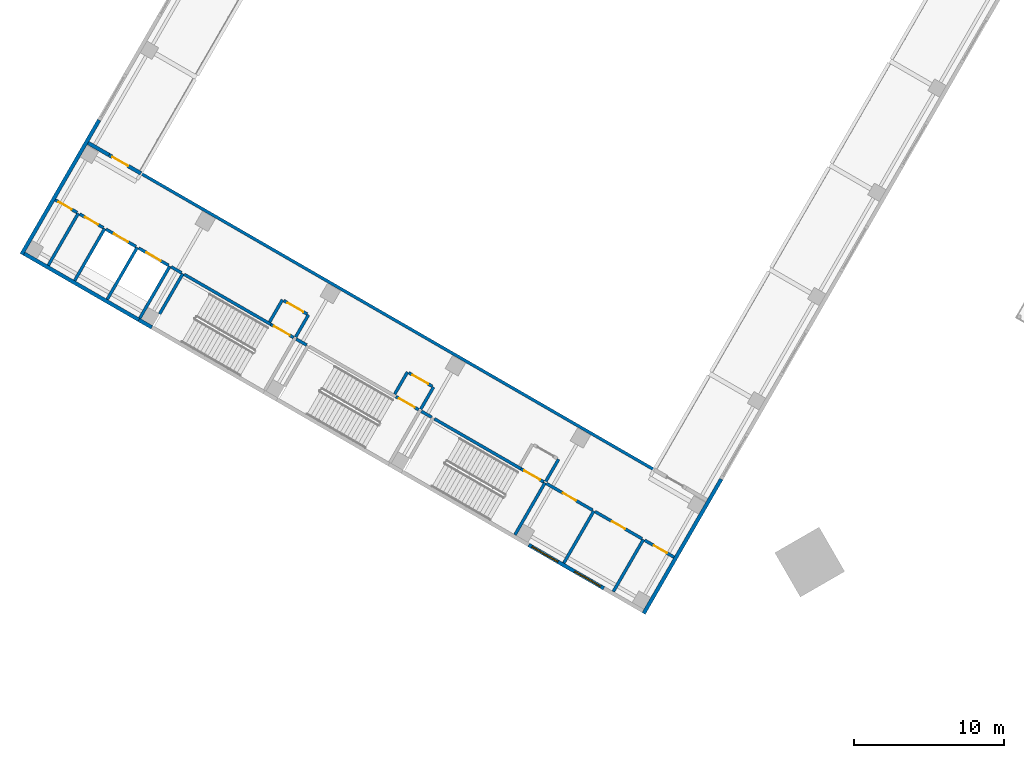
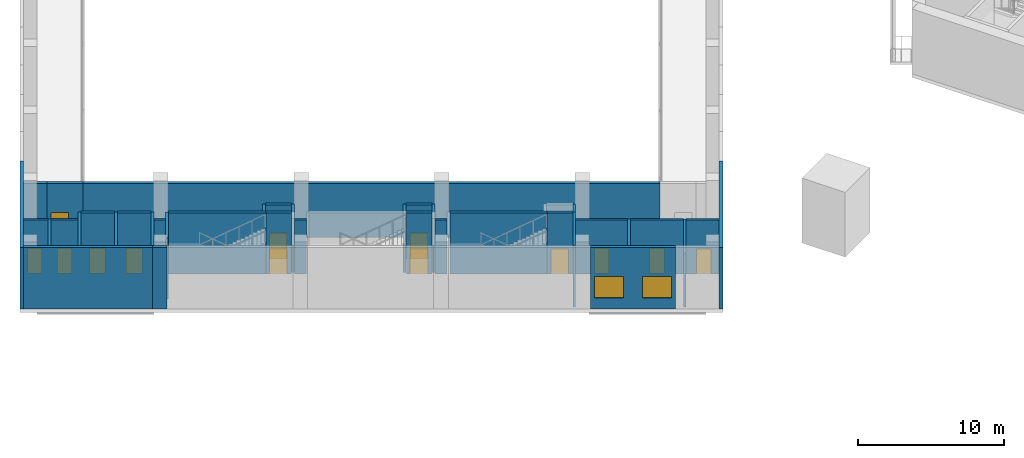
# One storey, part 9 of 35: 38 walls, 13 doors, 2 windows, 15 openings.
"""IFC4 building model written with IfcOpenShell, lengths in metres."""

from ifc_helpers import new_model, si_unit, direction, frame, frame_2d, origin, place, context, subcontext, project, spatial, rectangle, extrude, material, layer, layer_set, type_object, element, fill, save


model = new_model("IFC4")

# Units and contexts
model_context = context("Model", 3, precision=1e-05, world=origin(), true_north=direction((0.0, 1.0)))
body_context = subcontext(model_context, "Body", "Model", "MODEL_VIEW")
ifc_project = project(units=[si_unit("LENGTHUNIT", "METRE"), si_unit("AREAUNIT", "SQUARE_METRE"), si_unit("VOLUMEUNIT", "CUBIC_METRE"), si_unit("PLANEANGLEUNIT", "RADIAN"), si_unit("MASSUNIT", "GRAM", prefix="KILO")], contexts=[model_context])

# Site, building, storey
site_placement = place(None, origin())
site = spatial("IfcSite", under=ifc_project, at=site_placement, CompositionType="ELEMENT")
building_placement = place(site_placement, origin())
building = spatial("IfcBuilding", under=site, at=building_placement, Name="Mestral Congress Tower", CompositionType="ELEMENT")
storey_placement = place(building_placement, frame((0.0, 0.0, 6.0)))
storey = spatial("IfcBuildingStorey", under=building, at=storey_placement, Name="L01", CompositionType="ELEMENT", Elevation=6.0)

# Walls
ifc_material_1 = material(Name="Precast concrete C40/50 with limestone facing", Category="masonry")
ifc_layer_1 = layer(ifc_material_1, 0.25)
ifc_layer_set_1 = layer_set([ifc_layer_1], Name="Precast concrete C40/50 with limestone facing")
wall_type_1 = type_object("IfcWallType", Name="Podium external wall 250", PredefinedType="SOLIDWALL", material=ifc_layer_set_1)
for number, where, z_axis, x_axis, name in (
    (1, (-37.406494140625, -12.68408203125, 0.0), (0.0, 0.0, 1.0), (-0.500001855621, -0.866024332438, 0.0), "L01 external wall"),
    (2, (-83.915283203125, 2.260498046875, 0.0), (0.0, 0.0, 1.0), (0.500001855621, 0.866024332438, 0.0), "L01 external wall"),
):
    element("IfcWall", number, at=place(storey_placement, frame(where, z_axis=z_axis, x_axis=x_axis)), inside=storey, type_object=wall_type_1, Name=name, PredefinedType="SOLIDWALL", context=body_context, shape_type="SweptSolid", body=[
        extrude(rectangle(XDim=10.31201171875, YDim=0.25, at=frame_2d((5.156005859375, 0.0))), origin(), (0.0, 0.0, 1.0), 5.10009765625),
    ])

# Wall, openings, windows
wall_1_placement = place(storey_placement, frame((-45.206298828125, -19.94384765625, 0.0), z_axis=(0.0, 0.0, 1.0), x_axis=(-0.866036343161, 0.499981051965, 0.0)))
wall_1 = element("IfcWall", 3, at=wall_1_placement, inside=storey, type_object=wall_type_1, Name="L01 external wall", PredefinedType="SOLIDWALL", context=body_context, shape_type="SweptSolid", body=[
    extrude(rectangle(XDim=5.775146484375, YDim=0.25, at=frame_2d((2.8876953125, 0.0))), origin(), (0.0, 0.0, 1.0), 5.10009765625),
])
opening_1_placement = place(wall_1_placement, frame((0.25, 0.0, 0.89990234375)))
opening_1 = element("IfcOpeningElement", 4, at=opening_1_placement, cuts=wall_1, Name="Opening PW-2000x1800", PredefinedType="OPENING", context=body_context, shape_type="SweptSolid", body=[
    extrude(rectangle(XDim=2.0, YDim=1.800048828125, at=frame_2d((1.0, 0.89990234375))), frame((0.0, 0.135009765625, 0.0), z_axis=(0.0, -1.0, 0.0), x_axis=(1.0, 0.0, 0.0)), (0.0, 0.0, 1.0), 0.27001953125),
])
opening_2_placement = place(wall_1_placement, frame((3.52490234375, 0.0, 0.89990234375)))
opening_2 = element("IfcOpeningElement", 5, at=opening_2_placement, cuts=wall_1, Name="Opening PW-2000x1800", PredefinedType="OPENING", context=body_context, shape_type="SweptSolid", body=[
    extrude(rectangle(XDim=2.0, YDim=1.800048828125, at=frame_2d((1.0, 0.89990234375))), frame((0.0, 0.135009765625, 0.0), z_axis=(0.0, -1.0, 0.0), x_axis=(1.0, 0.0, 0.0)), (0.0, 0.0, 1.0), 0.27001953125),
])
ifc_material_2 = material(Name="Aluminium frame, clear double glazing", Category="aluminium")
window_type = type_object("IfcWindowType", Name="Podium window 2000x1800 sill 900", PartitioningType="SINGLE_PANEL", PredefinedType="WINDOW", material=ifc_material_2)
window_1_placement = place(opening_1_placement, origin())
window_1 = element("IfcWindow", 6, at=window_1_placement, inside=storey, type_object=window_type, Name="Window", OverallHeight=1.800048828125, OverallWidth=2.0, PartitioningType="SINGLE_PANEL", PredefinedType="WINDOW", context=body_context, shape_type="SweptSolid", body=[
    extrude(rectangle(XDim=2.0, YDim=1.800048828125, at=frame_2d((1.0, 0.89990234375))), frame((0.0, 0.030029296875, 0.0), z_axis=(0.0, -1.0, 0.0), x_axis=(1.0, 0.0, 0.0)), (0.0, 0.0, 1.0), 0.06005859375),
])
fill(opening_1, window_1)
window_2_placement = place(opening_2_placement, origin())
window_2 = element("IfcWindow", 7, at=window_2_placement, inside=storey, type_object=window_type, Name="Window", OverallHeight=1.800048828125, OverallWidth=2.0, PartitioningType="SINGLE_PANEL", PredefinedType="WINDOW", context=body_context, shape_type="SweptSolid", body=[
    extrude(rectangle(XDim=2.0, YDim=1.800048828125, at=frame_2d((1.0, 0.89990234375))), frame((0.0, 0.030029296875, 0.0), z_axis=(0.0, -1.0, 0.0), x_axis=(1.0, 0.0, 0.0)), (0.0, 0.0, 1.0), 0.06005859375),
])
fill(opening_2, window_2)

# Walls
wall_2_placement = place(storey_placement, frame((-76.12353515625, -2.09375, 0.0), z_axis=(0.0, 0.0, 1.0), x_axis=(-0.866025267465, 0.500000236112, 0.0)))
element("IfcWall", 8, at=wall_2_placement, inside=storey, type_object=wall_type_1, Name="L01 external wall", PredefinedType="SOLIDWALL", context=body_context, shape_type="SweptSolid", body=[
    extrude(rectangle(XDim=8.7998046875, YDim=0.25, at=frame_2d((4.39990234375, 0.0))), origin(), (0.0, 0.0, 1.0), 5.10009765625),
])
wall_3_placement = place(storey_placement, frame((-75.257568359375, -2.59375, 0.0), z_axis=(0.0, 0.0, 1.0), x_axis=(-0.866010750942, 0.50002537861, 0.0)))
element("IfcWall", 9, at=wall_3_placement, inside=storey, type_object=wall_type_1, Name="L01 external wall", PredefinedType="SOLIDWALL", context=body_context, shape_type="SweptSolid", body=[
    extrude(rectangle(XDim=1.0, YDim=0.25, at=frame_2d((0.5, 0.0))), origin(), (0.0, 0.0, 1.0), 5.10009765625),
])

# Wall, opening, door
ifc_material_3 = material(Name="Masonry block wall", Category="masonry")
ifc_layer_2 = layer(ifc_material_3, 0.25)
ifc_layer_set_2 = layer_set([ifc_layer_2], Name="Masonry block wall")
wall_type_2 = type_object("IfcWallType", Name="Podium hall wall 250 EI 180", PredefinedType="SOLIDWALL", material=ifc_layer_set_2)
wall_4_placement = place(storey_placement, frame((-75.987060546875, 7.642333984375, 0.0), z_axis=(0.0, 0.0, 1.0), x_axis=(-0.866014668023, 0.500018594424, 0.0)))
wall_4 = element("IfcWall", 10, at=wall_4_placement, inside=storey, type_object=wall_type_2, Name="L01 partition", PredefinedType="SOLIDWALL", context=body_context, shape_type="SweptSolid", body=[
    extrude(rectangle(XDim=2.4501953125, YDim=0.25, at=frame_2d((1.22509765625, 0.0))), origin(), (0.0, 0.0, 1.0), 4.5),
])
opening_3_placement = place(wall_4_placement, frame((1.0, 0.0, 0.0)))
opening_3 = element("IfcOpeningElement", 11, at=opening_3_placement, cuts=wall_4, Name="Opening P01-320", PredefinedType="OPENING", context=body_context, shape_type="SweptSolid", body=[
    extrude(rectangle(XDim=1.199951171875, YDim=2.10009765625, at=frame_2d((0.60009765625, 1.050048828125))), frame((0.0, 0.135009765625, 0.0), z_axis=(0.0, -1.0, 0.0), x_axis=(1.0, 0.0, 0.0)), (0.0, 0.0, 1.0), 0.27001953125),
])
ifc_material_4 = material(Name="Fire-rated steel door set", Category="steel")
door_type_1 = type_object("IfcDoorType", Name="Podium hall door 1200x2100 EI2 90-C5", OperationType="SINGLE_SWING_LEFT", PredefinedType="DOOR", material=ifc_material_4)
door_1_placement = place(opening_3_placement, origin())
door_1 = element("IfcDoor", 12, at=door_1_placement, inside=storey, type_object=door_type_1, Name="Door P01-320", OperationType="SINGLE_SWING_LEFT", OverallHeight=2.10009765625, OverallWidth=1.199951171875, PredefinedType="DOOR", context=body_context, shape_type="SweptSolid", body=[
    extrude(rectangle(XDim=1.199951171875, YDim=2.10009765625, at=frame_2d((0.60009765625, 1.050048828125))), frame((0.0, 0.02490234375, 0.0), z_axis=(0.0, -1.0, 0.0), x_axis=(1.0, 0.0, 0.0)), (0.0, 0.0, 1.0), 0.050048828125),
])
fill(opening_3, door_1)

# Walls
wall_5_placement = place(storey_placement, frame((-78.10888671875, 8.867431640625, 0.0), z_axis=(0.0, 0.0, 1.0), x_axis=(-0.865989903783, 0.500061482766, 0.0)))
element("IfcWall", 13, at=wall_5_placement, inside=storey, type_object=wall_type_2, Name="L01 partition", PredefinedType="SOLIDWALL", context=body_context, shape_type="SweptSolid", body=[
    extrude(rectangle(XDim=1.599853515625, YDim=0.25, at=frame_2d((0.7998046875, 0.0))), origin(), (0.0, 0.0, 1.0), 4.5),
])
ifc_layer_3 = layer(ifc_material_3, 0.199951171875)
ifc_layer_set_3 = layer_set([ifc_layer_3], Name="Masonry block wall")
wall_type_3 = type_object("IfcWallType", Name="Podium stair enclosure wall 200 EI 120 load-bearing", PredefinedType="SOLIDWALL", material=ifc_layer_set_3)
wall_6_placement = place(storey_placement, frame((-49.119384765625, -12.92138671875, 0.0), z_axis=(0.0, 0.0, 1.0), x_axis=(-0.49999894854, -0.866026010844, 0.0)))
element("IfcWall", 14, at=wall_6_placement, inside=storey, type_object=wall_type_3, Name="L01 partition", PredefinedType="SOLIDWALL", context=body_context, shape_type="SweptSolid", body=[
    extrude(rectangle(XDim=4.0, YDim=0.199951171875, at=frame_2d((2.0, 0.0))), origin(), (0.0, 0.0, 1.0), 5.10009765625),
])
wall_7_placement = place(storey_placement, frame((-73.195068359375, 0.978515625, 0.0), z_axis=(0.0, 0.0, 1.0), x_axis=(-0.500026960575, -0.86600983753, 0.0)))
element("IfcWall", 15, at=wall_7_placement, inside=storey, type_object=wall_type_3, Name="L01 partition", PredefinedType="SOLIDWALL", context=body_context, shape_type="SweptSolid", body=[
    extrude(rectangle(XDim=3.099853515625, YDim=0.199951171875, at=frame_2d((1.5498046875, 0.0))), origin(), (0.0, 0.0, 1.0), 5.10009765625),
])

# Wall, opening, door
wall_8_placement = place(storey_placement, frame((-49.2060546875, -12.871337890625, 0.0), z_axis=(0.0, 0.0, 1.0), x_axis=(-0.866036909293, 0.499980071345, 0.0)))
wall_8 = element("IfcWall", 16, at=wall_8_placement, inside=storey, type_object=wall_type_3, Name="L01 partition", PredefinedType="SOLIDWALL", context=body_context, shape_type="SweptSolid", body=[
    extrude(rectangle(XDim=1.75, YDim=0.199951171875, at=frame_2d((0.875, 0.0))), origin(), (0.0, 0.0, 1.0), 5.10009765625),
])
opening_4_placement = place(wall_8_placement, frame((0.300048828125, 0.0, 0.0)))
opening_4 = element("IfcOpeningElement", 17, at=opening_4_placement, cuts=wall_8, Name="Opening P01-304", PredefinedType="OPENING", context=body_context, shape_type="SweptSolid", body=[
    extrude(rectangle(XDim=1.199951171875, YDim=2.10009765625, at=frame_2d((0.60009765625, 1.050048828125))), frame((0.0, 0.10986328125, 0.0), z_axis=(0.0, -1.0, 0.0), x_axis=(1.0, 0.0, 0.0)), (0.0, 0.0, 1.0), 0.219970703125),
])
door_type_2 = type_object("IfcDoorType", Name="Podium stair door 1200x2100 EI2 30-C5", OperationType="SINGLE_SWING_LEFT", PredefinedType="DOOR", material=ifc_material_4)
door_2_placement = place(opening_4_placement, origin())
door_2 = element("IfcDoor", 18, at=door_2_placement, inside=storey, type_object=door_type_2, Name="Door P01-304", OperationType="SINGLE_SWING_LEFT", OverallHeight=2.10009765625, OverallWidth=1.199951171875, PredefinedType="DOOR", context=body_context, shape_type="SweptSolid", body=[
    extrude(rectangle(XDim=1.199951171875, YDim=2.10009765625, at=frame_2d((0.60009765625, 1.050048828125))), frame((0.0, 0.02490234375, 0.0), z_axis=(0.0, -1.0, 0.0), x_axis=(1.0, 0.0, 0.0)), (0.0, 0.0, 1.0), 0.050048828125),
])
fill(opening_4, door_2)

# Wall
wall_9_placement = place(storey_placement, frame((-50.7216796875, -11.996337890625, 0.0), z_axis=(0.0, 0.0, 1.0), x_axis=(-0.866027239912, 0.49999681972, 0.0)))
element("IfcWall", 19, at=wall_9_placement, inside=storey, type_object=wall_type_3, Name="L01 partition", PredefinedType="SOLIDWALL", context=body_context, shape_type="SweptSolid", body=[
    extrude(rectangle(XDim=6.64990234375, YDim=0.199951171875, at=frame_2d((3.324951171875, 0.0))), origin(), (0.0, 0.0, 1.0), 5.10009765625),
])

# Wall, opening, door
wall_10_placement = place(storey_placement, frame((-57.52001953125, -8.0712890625, 0.0), z_axis=(0.0, 0.0, 1.0), x_axis=(-0.866002029911, 0.500040482552, 0.0)))
wall_10 = element("IfcWall", 20, at=wall_10_placement, inside=storey, type_object=wall_type_3, Name="L01 partition", PredefinedType="SOLIDWALL", context=body_context, shape_type="SweptSolid", body=[
    extrude(rectangle(XDim=1.749755859375, YDim=0.199951171875, at=frame_2d((0.875, 0.0))), origin(), (0.0, 0.0, 1.0), 5.10009765625),
])
opening_5_placement = place(wall_10_placement, frame((0.300048828125, 0.0, 0.0)))
opening_5 = element("IfcOpeningElement", 21, at=opening_5_placement, cuts=wall_10, Name="Opening P01-305", PredefinedType="OPENING", context=body_context, shape_type="SweptSolid", body=[
    extrude(rectangle(XDim=1.199951171875, YDim=2.10009765625, at=frame_2d((0.60009765625, 1.050048828125))), frame((0.0, 0.10986328125, 0.0), z_axis=(0.0, -1.0, 0.0), x_axis=(1.0, 0.0, 0.0)), (0.0, 0.0, 1.0), 0.219970703125),
])
door_3_placement = place(opening_5_placement, origin())
door_3 = element("IfcDoor", 22, at=door_3_placement, inside=storey, type_object=door_type_2, Name="Door P01-305", OperationType="SINGLE_SWING_LEFT", OverallHeight=2.10009765625, OverallWidth=1.199951171875, PredefinedType="DOOR", context=body_context, shape_type="SweptSolid", body=[
    extrude(rectangle(XDim=1.199951171875, YDim=2.10009765625, at=frame_2d((0.60009765625, 1.050048828125))), frame((0.0, 0.02490234375, 0.0), z_axis=(0.0, -1.0, 0.0), x_axis=(1.0, 0.0, 0.0)), (0.0, 0.0, 1.0), 0.050048828125),
])
fill(opening_5, door_3)

wall_11_placement = place(storey_placement, frame((-65.833740234375, -3.271484375, 0.0), z_axis=(0.0, 0.0, 1.0), x_axis=(-0.866036909293, 0.499980071345, 0.0)))
wall_11 = element("IfcWall", 23, at=wall_11_placement, inside=storey, type_object=wall_type_3, Name="L01 partition", PredefinedType="SOLIDWALL", context=body_context, shape_type="SweptSolid", body=[
    extrude(rectangle(XDim=1.75, YDim=0.199951171875, at=frame_2d((0.875, 0.0))), origin(), (0.0, 0.0, 1.0), 5.10009765625),
])
opening_6_placement = place(wall_11_placement, frame((0.300048828125, 0.0, 0.0)))
opening_6 = element("IfcOpeningElement", 24, at=opening_6_placement, cuts=wall_11, Name="Opening P01-306", PredefinedType="OPENING", context=body_context, shape_type="SweptSolid", body=[
    extrude(rectangle(XDim=1.199951171875, YDim=2.10009765625, at=frame_2d((0.60009765625, 1.050048828125))), frame((0.0, 0.10986328125, 0.0), z_axis=(0.0, -1.0, 0.0), x_axis=(1.0, 0.0, 0.0)), (0.0, 0.0, 1.0), 0.219970703125),
])
door_4_placement = place(opening_6_placement, origin())
door_4 = element("IfcDoor", 25, at=door_4_placement, inside=storey, type_object=door_type_2, Name="Door P01-306", OperationType="SINGLE_SWING_LEFT", OverallHeight=2.10009765625, OverallWidth=1.199951171875, PredefinedType="DOOR", context=body_context, shape_type="SweptSolid", body=[
    extrude(rectangle(XDim=1.199951171875, YDim=2.10009765625, at=frame_2d((0.60009765625, 1.050048828125))), frame((0.0, 0.02490234375, 0.0), z_axis=(0.0, -1.0, 0.0), x_axis=(1.0, 0.0, 0.0)), (0.0, 0.0, 1.0), 0.050048828125),
])
fill(opening_6, door_4)

# Walls
wall_12_placement = place(storey_placement, frame((-67.349365234375, -2.396484375, 0.0), z_axis=(0.0, 0.0, 1.0), x_axis=(-0.86601134256, 0.500024353964, 0.0)))
element("IfcWall", 26, at=wall_12_placement, inside=storey, type_object=wall_type_3, Name="L01 partition", PredefinedType="SOLIDWALL", context=body_context, shape_type="SweptSolid", body=[
    extrude(rectangle(XDim=6.650146484375, YDim=0.199951171875, at=frame_2d((3.3251953125, 0.0))), origin(), (0.0, 0.0, 1.0), 5.10009765625),
])
for number, where, z_axis, x_axis, name in (
    (27, (-74.06103515625, 1.478515625, 0.0), (0.0, 0.0, 1.0), (-0.49999894854, -0.866026010844, 0.0), "L01 partition"),
    (28, (-76.22607421875, 2.728515625, 0.0), (0.0, 0.0, 1.0), (-0.49999894854, -0.866026010844, 0.0), "L01 partition"),
    (29, (-78.39111328125, 3.978515625, 0.0), (0.0, 0.0, 1.0), (-0.49999894854, -0.866026010844, 0.0), "L01 partition"),
):
    element("IfcWall", number, at=place(storey_placement, frame(where, z_axis=z_axis, x_axis=x_axis)), inside=storey, type_object=wall_type_3, Name=name, PredefinedType="SOLIDWALL", context=body_context, shape_type="SweptSolid", body=[
        extrude(rectangle(XDim=4.0, YDim=0.199951171875, at=frame_2d((2.0, 0.0))), origin(), (0.0, 0.0, 1.0), 5.10009765625),
    ])

# Wall, opening, door
wall_13_placement = place(storey_placement, frame((-74.147705078125, 1.528564453125, 0.0), z_axis=(0.0, 0.0, 1.0), x_axis=(-0.865980515519, 0.500077740698, 0.0)))
wall_13 = element("IfcWall", 30, at=wall_13_placement, inside=storey, type_object=wall_type_3, Name="L01 partition", PredefinedType="SOLIDWALL", context=body_context, shape_type="SweptSolid", body=[
    extrude(rectangle(XDim=2.300048828125, YDim=0.199951171875, at=frame_2d((1.14990234375, 0.0))), origin(), (0.0, 0.0, 1.0), 5.10009765625),
])
opening_7_placement = place(wall_13_placement, frame((0.60009765625, 0.0, 0.0)))
opening_7 = element("IfcOpeningElement", 31, at=opening_7_placement, cuts=wall_13, Name="Opening P01-309", PredefinedType="OPENING", context=body_context, shape_type="SweptSolid", body=[
    extrude(rectangle(XDim=1.10009765625, YDim=2.10009765625, at=frame_2d((0.550048828125, 1.050048828125))), frame((0.0, 0.10986328125, 0.0), z_axis=(0.0, -1.0, 0.0), x_axis=(1.0, 0.0, 0.0)), (0.0, 0.0, 1.0), 0.219970703125),
])
door_type_3 = type_object("IfcDoorType", Name="Podium lift landing door 1100x2100 EI2 60-C5", OperationType="DOUBLE_DOOR_SLIDING", PredefinedType="DOOR", material=ifc_material_4)
door_5_placement = place(opening_7_placement, origin())
door_5 = element("IfcDoor", 32, at=door_5_placement, inside=storey, type_object=door_type_3, Name="Door P01-309", OperationType="DOUBLE_DOOR_SLIDING", OverallHeight=2.10009765625, OverallWidth=1.10009765625, PredefinedType="DOOR", context=body_context, shape_type="SweptSolid", body=[
    extrude(rectangle(XDim=1.10009765625, YDim=2.10009765625, at=frame_2d((0.550048828125, 1.050048828125))), frame((0.0, 0.02490234375, 0.0), z_axis=(0.0, -1.0, 0.0), x_axis=(1.0, 0.0, 0.0)), (0.0, 0.0, 1.0), 0.050048828125),
])
fill(opening_7, door_5)

wall_14_placement = place(storey_placement, frame((-76.312744140625, 2.778564453125, 0.0), z_axis=(0.0, 0.0, 1.0), x_axis=(-0.865980515519, 0.500077740698, 0.0)))
wall_14 = element("IfcWall", 33, at=wall_14_placement, inside=storey, type_object=wall_type_3, Name="L01 partition", PredefinedType="SOLIDWALL", context=body_context, shape_type="SweptSolid", body=[
    extrude(rectangle(XDim=2.300048828125, YDim=0.199951171875, at=frame_2d((1.14990234375, 0.0))), origin(), (0.0, 0.0, 1.0), 5.10009765625),
])
opening_8_placement = place(wall_14_placement, frame((0.60009765625, 0.0, 0.0)))
opening_8 = element("IfcOpeningElement", 34, at=opening_8_placement, cuts=wall_14, Name="Opening P01-310", PredefinedType="OPENING", context=body_context, shape_type="SweptSolid", body=[
    extrude(rectangle(XDim=1.10009765625, YDim=2.10009765625, at=frame_2d((0.550048828125, 1.050048828125))), frame((0.0, 0.10986328125, 0.0), z_axis=(0.0, -1.0, 0.0), x_axis=(1.0, 0.0, 0.0)), (0.0, 0.0, 1.0), 0.219970703125),
])
door_6_placement = place(opening_8_placement, origin())
door_6 = element("IfcDoor", 35, at=door_6_placement, inside=storey, type_object=door_type_3, Name="Door P01-310", OperationType="DOUBLE_DOOR_SLIDING", OverallHeight=2.10009765625, OverallWidth=1.10009765625, PredefinedType="DOOR", context=body_context, shape_type="SweptSolid", body=[
    extrude(rectangle(XDim=1.10009765625, YDim=2.10009765625, at=frame_2d((0.550048828125, 1.050048828125))), frame((0.0, 0.02490234375, 0.0), z_axis=(0.0, -1.0, 0.0), x_axis=(1.0, 0.0, 0.0)), (0.0, 0.0, 1.0), 0.050048828125),
])
fill(opening_8, door_6)

# Walls
ifc_material_5 = material(Name="Fire-rated board partition")
ifc_layer_4 = layer(ifc_material_5, 0.199951171875)
ifc_layer_set_4 = layer_set([ifc_layer_4], Name="Fire-rated board partition")
wall_type_4 = type_object("IfcWallType", Name="Podium vestibule wall 200 EI 120", PredefinedType="PARTITIONING", material=ifc_layer_set_4)
wall_15_placement = place(storey_placement, frame((-48.219482421875, -11.362548828125, 0.0), z_axis=(0.0, 0.0, 1.0), x_axis=(-0.500062241894, -0.865989465428, 0.0)))
element("IfcWall", 36, at=wall_15_placement, inside=storey, type_object=wall_type_4, Name="L01 partition", PredefinedType="PARTITIONING", context=body_context, shape_type="SweptSolid", body=[
    extrude(rectangle(XDim=1.699951171875, YDim=0.199951171875, at=frame_2d((0.85009765625, 0.0))), origin(), (0.0, 0.0, 1.0), 4.5),
])
for number, where, z_axis, x_axis, name in (
    (37, (-56.533203125, -6.5625, 0.0), (0.0, 0.0, 1.0), (-0.500000056704, -0.866025371046, 0.0), "L01 partition"),
    (38, (-58.265380859375, -5.5625, 0.0), (0.0, 0.0, 1.0), (-0.500000056704, -0.866025371046, 0.0), "L01 partition"),
):
    element("IfcWall", number, at=place(storey_placement, frame(where, z_axis=z_axis, x_axis=x_axis)), inside=storey, type_object=wall_type_4, Name=name, PredefinedType="PARTITIONING", context=body_context, shape_type="SweptSolid", body=[
        extrude(rectangle(XDim=1.7001953125, YDim=0.199951171875, at=frame_2d((0.85009765625, 0.0))), origin(), (0.0, 0.0, 1.0), 4.5),
    ])
for number, where, z_axis, x_axis, name in (
    (39, (-64.84716796875, -1.7626953125, 0.0), (0.0, 0.0, 1.0), (-0.499954529098, -0.86605165483, 0.0), "L01 partition"),
    (40, (-66.5791015625, -0.7626953125, 0.0), (0.0, 0.0, 1.0), (-0.500062241894, -0.865989465428, 0.0), "L01 partition"),
):
    element("IfcWall", number, at=place(storey_placement, frame(where, z_axis=z_axis, x_axis=x_axis)), inside=storey, type_object=wall_type_4, Name=name, PredefinedType="PARTITIONING", context=body_context, shape_type="SweptSolid", body=[
        extrude(rectangle(XDim=1.699951171875, YDim=0.199951171875, at=frame_2d((0.85009765625, 0.0))), origin(), (0.0, 0.0, 1.0), 4.5),
    ])

# Wall, opening, door
wall_16_placement = place(storey_placement, frame((-56.619873046875, -6.5126953125, 0.0), z_axis=(0.0, 0.0, 1.0), x_axis=(-0.865989075817, 0.500062916607, 0.0)))
wall_16 = element("IfcWall", 41, at=wall_16_placement, inside=storey, type_object=wall_type_4, Name="L01 partition", PredefinedType="PARTITIONING", context=body_context, shape_type="SweptSolid", body=[
    extrude(rectangle(XDim=1.800048828125, YDim=0.199951171875, at=frame_2d((0.89990234375, 0.0))), origin(), (0.0, 0.0, 1.0), 4.5),
])
opening_9_placement = place(wall_16_placement, frame((0.300048828125, 0.0, 0.0)))
opening_9 = element("IfcOpeningElement", 42, at=opening_9_placement, cuts=wall_16, Name="Opening P01-315", PredefinedType="OPENING", context=body_context, shape_type="SweptSolid", body=[
    extrude(rectangle(XDim=1.199951171875, YDim=2.10009765625, at=frame_2d((0.60009765625, 1.050048828125))), frame((0.0, 0.10986328125, 0.0), z_axis=(0.0, -1.0, 0.0), x_axis=(1.0, 0.0, 0.0)), (0.0, 0.0, 1.0), 0.219970703125),
])
door_type_4 = type_object("IfcDoorType", Name="Podium vestibule door 1200x2100 EI2 30-C5", OperationType="SINGLE_SWING_LEFT", PredefinedType="DOOR", material=ifc_material_4)
door_7_placement = place(opening_9_placement, origin())
door_7 = element("IfcDoor", 43, at=door_7_placement, inside=storey, type_object=door_type_4, Name="Door P01-315", OperationType="SINGLE_SWING_LEFT", OverallHeight=2.10009765625, OverallWidth=1.199951171875, PredefinedType="DOOR", context=body_context, shape_type="SweptSolid", body=[
    extrude(rectangle(XDim=1.199951171875, YDim=2.10009765625, at=frame_2d((0.60009765625, 1.050048828125))), frame((0.0, 0.02490234375, 0.0), z_axis=(0.0, -1.0, 0.0), x_axis=(1.0, 0.0, 0.0)), (0.0, 0.0, 1.0), 0.050048828125),
])
fill(opening_9, door_7)

wall_17_placement = place(storey_placement, frame((-64.93359375, -1.712646484375, 0.0), z_axis=(0.0, 0.0, 1.0), x_axis=(-0.866022985545, 0.500004188491, 0.0)))
wall_17 = element("IfcWall", 44, at=wall_17_placement, inside=storey, type_object=wall_type_4, Name="L01 partition", PredefinedType="PARTITIONING", context=body_context, shape_type="SweptSolid", body=[
    extrude(rectangle(XDim=1.80029296875, YDim=0.199951171875, at=frame_2d((0.900146484375, 0.0))), origin(), (0.0, 0.0, 1.0), 4.5),
])
opening_10_placement = place(wall_17_placement, frame((0.300048828125, 0.0, 0.0)))
opening_10 = element("IfcOpeningElement", 45, at=opening_10_placement, cuts=wall_17, Name="Opening P01-316", PredefinedType="OPENING", context=body_context, shape_type="SweptSolid", body=[
    extrude(rectangle(XDim=1.199951171875, YDim=2.10009765625, at=frame_2d((0.60009765625, 1.050048828125))), frame((0.0, 0.10986328125, 0.0), z_axis=(0.0, -1.0, 0.0), x_axis=(1.0, 0.0, 0.0)), (0.0, 0.0, 1.0), 0.219970703125),
])
door_8_placement = place(opening_10_placement, origin())
door_8 = element("IfcDoor", 46, at=door_8_placement, inside=storey, type_object=door_type_4, Name="Door P01-316", OperationType="SINGLE_SWING_LEFT", OverallHeight=2.10009765625, OverallWidth=1.199951171875, PredefinedType="DOOR", context=body_context, shape_type="SweptSolid", body=[
    extrude(rectangle(XDim=1.199951171875, YDim=2.10009765625, at=frame_2d((0.60009765625, 1.050048828125))), frame((0.0, 0.02490234375, 0.0), z_axis=(0.0, -1.0, 0.0), x_axis=(1.0, 0.0, 0.0)), (0.0, 0.0, 1.0), 0.050048828125),
])
fill(opening_10, door_8)

# Walls
for number, where, z_axis, x_axis, name in (
    (47, (-42.5810546875, -16.6962890625, 0.0), (0.0, 0.0, 1.0), (-0.49999894854, -0.866026010844, 0.0), "L01 partition"),
    (48, (-80.144775390625, 4.9912109375, 0.0), (0.0, 0.0, 1.0), (-0.49999894854, -0.866026010844, 0.0), "L01 partition"),
):
    element("IfcWall", number, at=place(storey_placement, frame(where, z_axis=z_axis, x_axis=x_axis)), inside=storey, type_object=wall_type_4, Name=name, PredefinedType="PARTITIONING", context=body_context, shape_type="SweptSolid", body=[
        extrude(rectangle(XDim=4.0, YDim=0.199951171875, at=frame_2d((2.0, 0.0))), origin(), (0.0, 0.0, 1.0), 4.5),
    ])

# Wall, opening, door
wall_18_placement = place(storey_placement, frame((-40.5458984375, -17.871337890625, 0.0), z_axis=(0.0, 0.0, 1.0), x_axis=(-0.866017533419, 0.500013631625, 0.0)))
wall_18 = element("IfcWall", 49, at=wall_18_placement, inside=storey, type_object=wall_type_4, Name="L01 partition", PredefinedType="PARTITIONING", context=body_context, shape_type="SweptSolid", body=[
    extrude(rectangle(XDim=2.25, YDim=0.199951171875, at=frame_2d((1.125, 0.0))), origin(), (0.0, 0.0, 1.0), 4.5),
])
opening_11_placement = place(wall_18_placement, frame((0.550048828125, 0.0, 0.0)))
opening_11 = element("IfcOpeningElement", 50, at=opening_11_placement, cuts=wall_18, Name="Opening P01-324", PredefinedType="OPENING", context=body_context, shape_type="SweptSolid", body=[
    extrude(rectangle(XDim=1.0, YDim=2.10009765625, at=frame_2d((0.5, 1.050048828125))), frame((0.0, 0.10986328125, 0.0), z_axis=(0.0, -1.0, 0.0), x_axis=(1.0, 0.0, 0.0)), (0.0, 0.0, 1.0), 0.219970703125),
])
door_type_5 = type_object("IfcDoorType", Name="Podium room door 1000x2100 EI2 30-C5", OperationType="SINGLE_SWING_LEFT", PredefinedType="DOOR", material=ifc_material_4)
door_9_placement = place(opening_11_placement, origin())
door_9 = element("IfcDoor", 51, at=door_9_placement, inside=storey, type_object=door_type_5, Name="Door P01-324", OperationType="SINGLE_SWING_LEFT", OverallHeight=2.10009765625, OverallWidth=1.0, PredefinedType="DOOR", context=body_context, shape_type="SweptSolid", body=[
    extrude(rectangle(XDim=1.0, YDim=2.10009765625, at=frame_2d((0.5, 1.050048828125))), frame((0.0, 0.02490234375, 0.0), z_axis=(0.0, -1.0, 0.0), x_axis=(1.0, 0.0, 0.0)), (0.0, 0.0, 1.0), 0.050048828125),
])
fill(opening_11, door_9)

wall_19_placement = place(storey_placement, frame((-78.477783203125, 4.028564453125, 0.0), z_axis=(0.0, 0.0, 1.0), x_axis=(-0.865978377894, 0.500081442387, 0.0)))
wall_19 = element("IfcWall", 52, at=wall_19_placement, inside=storey, type_object=wall_type_4, Name="L01 partition", PredefinedType="PARTITIONING", context=body_context, shape_type="SweptSolid", body=[
    extrude(rectangle(XDim=1.824951171875, YDim=0.199951171875, at=frame_2d((0.91259765625, 0.0))), origin(), (0.0, 0.0, 1.0), 4.5),
])
opening_12_placement = place(wall_19_placement, frame((0.41259765625, 0.0, 0.0)))
opening_12 = element("IfcOpeningElement", 53, at=opening_12_placement, cuts=wall_19, Name="Opening P01-325", PredefinedType="OPENING", context=body_context, shape_type="SweptSolid", body=[
    extrude(rectangle(XDim=1.0, YDim=2.10009765625, at=frame_2d((0.5, 1.050048828125))), frame((0.0, 0.10986328125, 0.0), z_axis=(0.0, -1.0, 0.0), x_axis=(1.0, 0.0, 0.0)), (0.0, 0.0, 1.0), 0.219970703125),
])
door_10_placement = place(opening_12_placement, origin())
door_10 = element("IfcDoor", 54, at=door_10_placement, inside=storey, type_object=door_type_5, Name="Door P01-325", OperationType="SINGLE_SWING_LEFT", OverallHeight=2.10009765625, OverallWidth=1.0, PredefinedType="DOOR", context=body_context, shape_type="SweptSolid", body=[
    extrude(rectangle(XDim=1.0, YDim=2.10009765625, at=frame_2d((0.5, 1.050048828125))), frame((0.0, 0.02490234375, 0.0), z_axis=(0.0, -1.0, 0.0), x_axis=(1.0, 0.0, 0.0)), (0.0, 0.0, 1.0), 0.050048828125),
])
fill(opening_12, door_10)

wall_20_placement = place(storey_placement, frame((-80.2314453125, 5.041015625, 0.0), z_axis=(0.0, 0.0, 1.0), x_axis=(-0.865964676353, 0.500105168249, 0.0)))
wall_20 = element("IfcWall", 55, at=wall_20_placement, inside=storey, type_object=wall_type_4, Name="L01 partition", PredefinedType="PARTITIONING", context=body_context, shape_type="SweptSolid", body=[
    extrude(rectangle(XDim=1.675048828125, YDim=0.199951171875, at=frame_2d((0.83740234375, 0.0))), origin(), (0.0, 0.0, 1.0), 4.5),
])
opening_13_placement = place(wall_20_placement, frame((0.41259765625, 0.0, 0.0)))
opening_13 = element("IfcOpeningElement", 56, at=opening_13_placement, cuts=wall_20, Name="Opening P01-326", PredefinedType="OPENING", context=body_context, shape_type="SweptSolid", body=[
    extrude(rectangle(XDim=1.0, YDim=2.10009765625, at=frame_2d((0.5, 1.050048828125))), frame((0.0, 0.10986328125, 0.0), z_axis=(0.0, -1.0, 0.0), x_axis=(1.0, 0.0, 0.0)), (0.0, 0.0, 1.0), 0.219970703125),
])
door_11_placement = place(opening_13_placement, origin())
door_11 = element("IfcDoor", 57, at=door_11_placement, inside=storey, type_object=door_type_5, Name="Door P01-326", OperationType="SINGLE_SWING_LEFT", OverallHeight=2.10009765625, OverallWidth=1.0, PredefinedType="DOOR", context=body_context, shape_type="SweptSolid", body=[
    extrude(rectangle(XDim=1.0, YDim=2.10009765625, at=frame_2d((0.5, 1.050048828125))), frame((0.0, 0.02490234375, 0.0), z_axis=(0.0, -1.0, 0.0), x_axis=(1.0, 0.0, 0.0)), (0.0, 0.0, 1.0), 0.050048828125),
])
fill(opening_13, door_11)

# Wall
wall_21_placement = place(storey_placement, frame((-45.871826171875, -14.79638671875, 0.0), z_axis=(0.0, 0.0, 1.0), x_axis=(-0.49999894854, -0.866026010844, 0.0)))
element("IfcWall", 58, at=wall_21_placement, inside=storey, type_object=wall_type_4, Name="L01 partition", PredefinedType="PARTITIONING", context=body_context, shape_type="SweptSolid", body=[
    extrude(rectangle(XDim=4.0, YDim=0.199951171875, at=frame_2d((2.0, 0.0))), origin(), (0.0, 0.0, 1.0), 4.5),
])

# Wall, opening, door
wall_22_placement = place(storey_placement, frame((-42.66748046875, -16.646484375, 0.0), z_axis=(0.0, 0.0, 1.0), x_axis=(-0.866035395735, 0.499982693035, 0.0)))
wall_22 = element("IfcWall", 59, at=wall_22_placement, inside=storey, type_object=wall_type_4, Name="L01 partition", PredefinedType="PARTITIONING", context=body_context, shape_type="SweptSolid", body=[
    extrude(rectangle(XDim=3.600341796875, YDim=0.199951171875, at=frame_2d((1.80029296875, 0.0))), origin(), (0.0, 0.0, 1.0), 4.5),
])
opening_14_placement = place(wall_22_placement, frame((1.300048828125, 0.0, 0.0)))
opening_14 = element("IfcOpeningElement", 60, at=opening_14_placement, cuts=wall_22, Name="Opening P01-328", PredefinedType="OPENING", context=body_context, shape_type="SweptSolid", body=[
    extrude(rectangle(XDim=1.0, YDim=2.10009765625, at=frame_2d((0.5, 1.050048828125))), frame((0.0, 0.10986328125, 0.0), z_axis=(0.0, -1.0, 0.0), x_axis=(1.0, 0.0, 0.0)), (0.0, 0.0, 1.0), 0.219970703125),
])
door_12_placement = place(opening_14_placement, origin())
door_12 = element("IfcDoor", 61, at=door_12_placement, inside=storey, type_object=door_type_5, Name="Door P01-328", OperationType="SINGLE_SWING_LEFT", OverallHeight=2.10009765625, OverallWidth=1.0, PredefinedType="DOOR", context=body_context, shape_type="SweptSolid", body=[
    extrude(rectangle(XDim=1.0, YDim=2.10009765625, at=frame_2d((0.5, 1.050048828125))), frame((0.0, 0.02490234375, 0.0), z_axis=(0.0, -1.0, 0.0), x_axis=(1.0, 0.0, 0.0)), (0.0, 0.0, 1.0), 0.050048828125),
])
fill(opening_14, door_12)

wall_23_placement = place(storey_placement, frame((-45.95849609375, -14.746337890625, 0.0), z_axis=(0.0, 0.0, 1.0), x_axis=(-0.8660424351, 0.499970499736, 0.0)))
wall_23 = element("IfcWall", 62, at=wall_23_placement, inside=storey, type_object=wall_type_4, Name="L01 partition", PredefinedType="PARTITIONING", context=body_context, shape_type="SweptSolid", body=[
    extrude(rectangle(XDim=3.550048828125, YDim=0.199951171875, at=frame_2d((1.77490234375, 0.0))), origin(), (0.0, 0.0, 1.0), 4.5),
])
opening_15_placement = place(wall_23_placement, frame((1.27490234375, 0.0, 0.0)))
opening_15 = element("IfcOpeningElement", 63, at=opening_15_placement, cuts=wall_23, Name="Opening P01-329", PredefinedType="OPENING", context=body_context, shape_type="SweptSolid", body=[
    extrude(rectangle(XDim=1.0, YDim=2.10009765625, at=frame_2d((0.5, 1.050048828125))), frame((0.0, 0.10986328125, 0.0), z_axis=(0.0, -1.0, 0.0), x_axis=(1.0, 0.0, 0.0)), (0.0, 0.0, 1.0), 0.219970703125),
])
door_13_placement = place(opening_15_placement, origin())
door_13 = element("IfcDoor", 64, at=door_13_placement, inside=storey, type_object=door_type_5, Name="Door P01-329", OperationType="SINGLE_SWING_LEFT", OverallHeight=2.10009765625, OverallWidth=1.0, PredefinedType="DOOR", context=body_context, shape_type="SweptSolid", body=[
    extrude(rectangle(XDim=1.0, YDim=2.10009765625, at=frame_2d((0.5, 1.050048828125))), frame((0.0, 0.02490234375, 0.0), z_axis=(0.0, -1.0, 0.0), x_axis=(1.0, 0.0, 0.0)), (0.0, 0.0, 1.0), 0.050048828125),
])
fill(opening_15, door_13)

# Walls
wall_24_placement = place(storey_placement, frame((-41.86572265625, -12.0576171875, 0.0), z_axis=(0.0, 0.0, 1.0), x_axis=(-0.866025540551, 0.499999763114, 0.0)))
element("IfcWall", 65, at=wall_24_placement, inside=storey, type_object=wall_type_4, Name="L01 partition", PredefinedType="PARTITIONING", context=body_context, shape_type="SweptSolid", body=[
    extrude(rectangle(XDim=39.39990234375, YDim=0.199951171875, at=frame_2d((19.699951171875, 0.0))), origin(), (0.0, 0.0, 1.0), 4.5),
])
wall_25_placement = place(storey_placement, frame((-56.65380859375, -8.5712890625, 0.0), z_axis=(0.0, 0.0, 1.0), x_axis=(-0.866094119867, 0.499880961361, 0.0)))
element("IfcWall", 66, at=wall_25_placement, inside=storey, type_object=wall_type_4, Name="L01 partition", PredefinedType="PARTITIONING", context=body_context, shape_type="SweptSolid", body=[
    extrude(rectangle(XDim=0.800048828125, YDim=0.199951171875, at=frame_2d((0.39990234375, 0.0))), origin(), (0.0, 0.0, 1.0), 4.5),
])
wall_26_placement = place(storey_placement, frame((-64.9677734375, -3.771484375, 0.0), z_axis=(0.0, 0.0, 1.0), x_axis=(-0.865885638426, 0.500242002602, 0.0)))
element("IfcWall", 67, at=wall_26_placement, inside=storey, type_object=wall_type_4, Name="L01 partition", PredefinedType="PARTITIONING", context=body_context, shape_type="SweptSolid", body=[
    extrude(rectangle(XDim=0.7998046875, YDim=0.199951171875, at=frame_2d((0.39990234375, 0.0))), origin(), (0.0, 0.0, 1.0), 4.5),
])
wall_27_placement = place(storey_placement, frame((-73.281494140625, 1.028564453125, 0.0), z_axis=(0.0, 0.0, 1.0), x_axis=(-0.865961984968, 0.500109828528, 0.0)))
element("IfcWall", 68, at=wall_27_placement, inside=storey, type_object=wall_type_4, Name="L01 partition", PredefinedType="PARTITIONING", context=body_context, shape_type="SweptSolid", body=[
    extrude(rectangle(XDim=0.800048828125, YDim=0.199951171875, at=frame_2d((0.39990234375, 0.0))), origin(), (0.0, 0.0, 1.0), 4.5),
])

save(model, "model.ifc")
